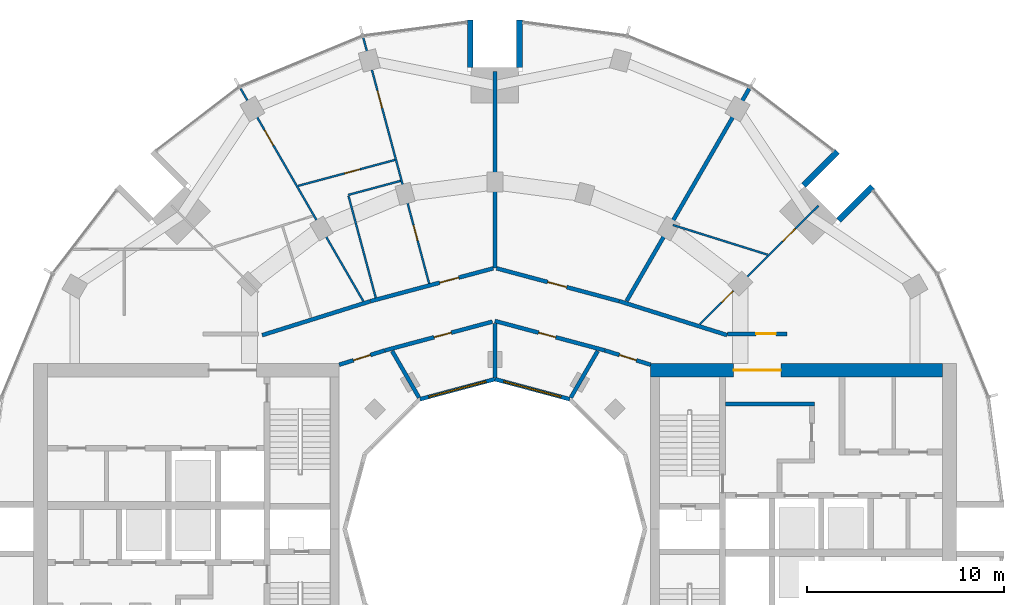
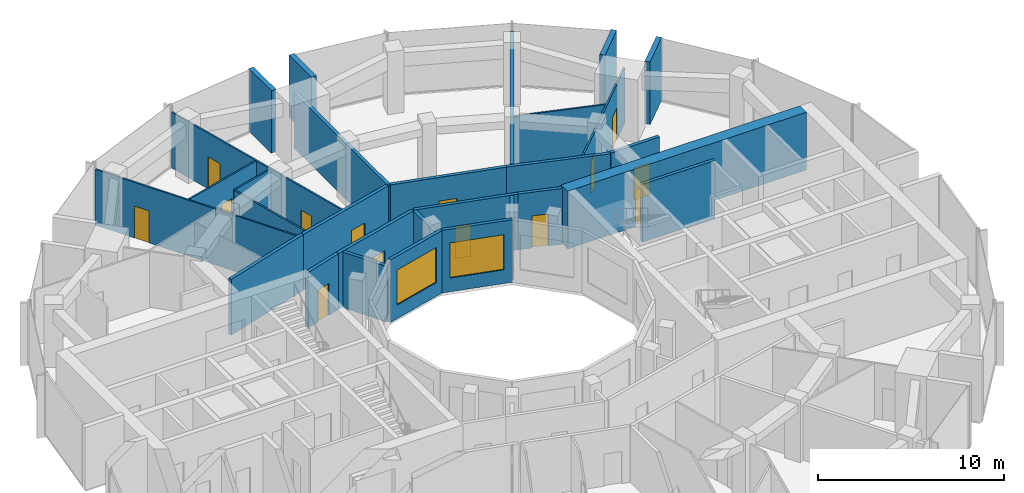
# One storey, part 12 of 15: 29 walls, 14 doors, 2 windows, 16 openings.
"""IFC4 building model written with IfcOpenShell, lengths in metres."""

from ifc_helpers import new_model, si_unit, direction, frame, frame_2d, origin, place, context, subcontext, project, spatial, rectangle, extrude, material, layer, layer_set, type_object, element, fill, save


model = new_model("IFC4")

# Units and contexts
model_context = context("Model", 3, precision=1e-05, world=origin(), true_north=direction((0.0, 1.0)))
body_context = subcontext(model_context, "Body", "Model", "MODEL_VIEW")
ifc_project = project(units=[si_unit("LENGTHUNIT", "METRE"), si_unit("AREAUNIT", "SQUARE_METRE"), si_unit("VOLUMEUNIT", "CUBIC_METRE"), si_unit("PLANEANGLEUNIT", "RADIAN"), si_unit("MASSUNIT", "GRAM", prefix="KILO")], contexts=[model_context])

# Site, building, storey
site_placement = place(None, origin())
site = spatial("IfcSite", under=ifc_project, at=site_placement, CompositionType="ELEMENT")
building_placement = place(site_placement, origin())
building = spatial("IfcBuilding", under=site, at=building_placement, Name="Torre Brocal", CompositionType="ELEMENT")
storey_placement = place(building_placement, frame((0.0, 0.0, 157.699951171875)))
storey = spatial("IfcBuildingStorey", under=building, at=storey_placement, Name="L36", CompositionType="ELEMENT", Elevation=157.699951171875)

# Wall
ifc_material_1 = material(Name="Concrete C70", Category="concrete")
ifc_layer_1 = layer(ifc_material_1, 0.199951171875)
ifc_layer_set_1 = layer_set([ifc_layer_1], Name="Concrete C70")
wall_type_1 = type_object("IfcWallType", Name="CORE WALL 200 C70", PredefinedType="SHEAR", material=ifc_layer_set_1)
wall_1_placement = place(storey_placement, frame((91.699951171875, 81.35009765625, 0.0), z_axis=(0.0, 0.0, 1.0), x_axis=(1.0, 0.0, 0.0)))
element("IfcWall", 1, at=wall_1_placement, inside=storey, type_object=wall_type_1, Name="Wall CW200-70", PredefinedType="SHEAR", context=body_context, shape_type="SweptSolid", body=[
    extrude(rectangle(XDim=4.5, YDim=0.199951171875, at=frame_2d((2.25, 0.0))), origin(), (0.0, 0.0, 1.0), 3.780029296875),
])

# Wall, opening, door
ifc_material_2 = material(Name="Concrete C70", Category="concrete")
ifc_layer_2 = layer(ifc_material_2, 0.699951171875)
ifc_layer_set_2 = layer_set([ifc_layer_2], Name="Concrete C70")
wall_type_2 = type_object("IfcWallType", Name="CORE WALL 700 C70", PredefinedType="SHEAR", material=ifc_layer_set_2)
wall_2_placement = place(storey_placement, frame((87.89990234375, 83.050048828125, 0.0), z_axis=(0.0, 0.0, 1.0), x_axis=(1.0, 0.0, 0.0)))
wall_2 = element("IfcWall", 2, at=wall_2_placement, inside=storey, type_object=wall_type_2, Name="Wall CW700-70", PredefinedType="SHEAR", context=body_context, shape_type="SweptSolid", body=[
    extrude(rectangle(XDim=14.800048828125, YDim=0.699951171875, at=frame_2d((7.39990234375, 0.0))), origin(), (0.0, 0.0, 1.0), 3.780029296875),
])
opening_1_placement = place(wall_2_placement, frame((4.199951171875, 0.0, 0.0)))
opening_1 = element("IfcOpeningElement", 3, at=opening_1_placement, cuts=wall_2, Name="Opening E-D34", PredefinedType="OPENING", context=body_context, shape_type="SweptSolid", body=[
    extrude(rectangle(XDim=2.39990234375, YDim=2.39990234375, at=frame_2d((1.199951171875, 1.199951171875))), frame((0.0, 0.35986328125, 0.0), z_axis=(0.0, -1.0, 0.0), x_axis=(1.0, 0.0, 0.0)), (0.0, 0.0, 1.0), 0.719970703125),
])
ifc_material_3 = material(Name="Steel A653", Category="steel")
door_type_1 = type_object("IfcDoorType", Name="DOUBLE FIRE DOOR FD90 2400X2400", OperationType="DOUBLE_DOOR_SINGLE_SWING", PredefinedType="DOOR", material=ifc_material_3)
door_1_placement = place(opening_1_placement, frame((2.39990234375, 0.0, 0.0), z_axis=(0.0, 0.0, 1.0), x_axis=(-1.0, 0.0, 0.0)))
door_1 = element("IfcDoor", 4, at=door_1_placement, inside=storey, type_object=door_type_1, Name="Door E-D34", OperationType="DOUBLE_DOOR_SINGLE_SWING", OverallHeight=2.39990234375, OverallWidth=2.39990234375, PredefinedType="DOOR", context=body_context, shape_type="SweptSolid", body=[
    extrude(rectangle(XDim=2.39990234375, YDim=2.39990234375, at=frame_2d((1.199951171875, 1.199951171875))), frame((0.0, 0.02490234375, 0.0), z_axis=(0.0, -1.0, 0.0), x_axis=(1.0, 0.0, 0.0)), (0.0, 0.0, 1.0), 0.050048828125),
])
fill(opening_1, door_1)

# Walls
ifc_material_4 = material(Name="Concrete C70", Category="concrete")
ifc_layer_3 = layer(ifc_material_4, 0.300048828125)
ifc_layer_set_3 = layer_set([ifc_layer_3], Name="Concrete C70")
wall_type_3 = type_object("IfcWallType", Name="NOTCH RETURN WALL 300 C70", PredefinedType="NOTDEFINED", material=ifc_layer_set_3)
for number, where, z_axis, x_axis, name in (
    (5, (97.43017578125, 90.662353515625, 0.0), (0.0, 0.0, 1.0), (0.707106781187, 0.707106781187, 0.0), "NOTCH RETURN WALL"),
    (6, (95.662353515625, 92.43017578125, 0.0), (0.0, 0.0, 1.0), (0.707106781187, 0.707106781187, 0.0), "NOTCH RETURN WALL"),
    (7, (81.25, 98.39990234375, 0.0), (0.0, 0.0, 1.0), (0.0, 1.0, 0.0), "NOTCH RETURN WALL"),
    (8, (78.75, 98.39990234375, 0.0), (0.0, 0.0, 1.0), (0.0, 1.0, 0.0), "NOTCH RETURN WALL"),
):
    element("IfcWall", number, at=place(storey_placement, frame(where, z_axis=z_axis, x_axis=x_axis)), inside=storey, type_object=wall_type_3, Name=name, PredefinedType="NOTDEFINED", context=body_context, shape_type="SweptSolid", body=[
        extrude(rectangle(XDim=2.415771484375, YDim=0.300048828125, at=frame_2d((1.2080078125, 0.0))), origin(), (0.0, 0.0, 1.0), 4.10009765625),
    ])

# Wall, opening, door
ifc_material_5 = material(Name="Gypsum board", Category="Gypsum")
ifc_layer_4 = layer(ifc_material_5, 0.10009765625)
ifc_layer_set_4 = layer_set([ifc_layer_4], Name="Gypsum board")
wall_type_4 = type_object("IfcWallType", Name="PARTITION 100", PredefinedType="PARTITIONING", material=ifc_layer_set_4)
wall_3_placement = place(storey_placement, frame((67.101318359375, 97.341552734375, 0.0), z_axis=(0.0, 0.0, 1.0), x_axis=(0.499929451451, -0.866066131177, 0.0)))
wall_3 = element("IfcWall", 9, at=wall_3_placement, inside=storey, type_object=wall_type_4, Name="BATHROOM WALL", PredefinedType="PARTITIONING", context=body_context, shape_type="SweptSolid", body=[
    extrude(rectangle(XDim=12.455810546875, YDim=0.10009765625, at=frame_2d((6.22802734375, 0.0))), origin(), (0.0, 0.0, 1.0), 3.650146484375),
])
opening_2_placement = place(wall_3_placement, frame((2.434326171875, 0.0, 0.0)))
opening_2 = element("IfcOpeningElement", 10, at=opening_2_placement, cuts=wall_3, Name="Opening R01-D09", PredefinedType="OPENING", context=body_context, shape_type="SweptSolid", body=[
    extrude(rectangle(XDim=0.89990234375, YDim=2.10009765625, at=frame_2d((0.449951171875, 1.050048828125))), frame((0.0, 0.06005859375, 0.0), z_axis=(0.0, -1.0, 0.0), x_axis=(1.0, 0.0, 0.0)), (0.0, 0.0, 1.0), 0.1201171875),
])
ifc_material_6 = material(Name="Timber", Category="wood")
door_type_2 = type_object("IfcDoorType", Name="ROOM DOOR 900X2100", OperationType="SINGLE_SWING_LEFT", PredefinedType="DOOR", material=ifc_material_6)
door_2_placement = place(opening_2_placement, frame((0.89990234375, 0.0, 0.0), z_axis=(0.0, 0.0, 1.0), x_axis=(-1.0, 0.0, 0.0)))
door_2 = element("IfcDoor", 11, at=door_2_placement, inside=storey, type_object=door_type_2, Name="R01-D09", OperationType="SINGLE_SWING_RIGHT", OverallHeight=2.10009765625, OverallWidth=0.89990234375, PredefinedType="DOOR", context=body_context, shape_type="SweptSolid", body=[
    extrude(rectangle(XDim=0.89990234375, YDim=2.10009765625, at=frame_2d((0.449951171875, 1.050048828125))), frame((0.0, 0.02490234375, 0.0), z_axis=(0.0, -1.0, 0.0), x_axis=(1.0, 0.0, 0.0)), (0.0, 0.0, 1.0), 0.050048828125),
])
fill(opening_2, door_2)

wall_4_placement = place(storey_placement, frame((70.01904296875, 92.404541015625, 0.0), z_axis=(0.0, 0.0, 1.0), x_axis=(0.965982744428, 0.258606530209, 0.0)))
wall_4 = element("IfcWall", 12, at=wall_4_placement, inside=storey, type_object=wall_type_4, Name="BATHROOM WALL", PredefinedType="PARTITIONING", context=body_context, shape_type="SweptSolid", body=[
    extrude(rectangle(XDim=5.086669921875, YDim=0.10009765625, at=frame_2d((2.54345703125, 0.0))), origin(), (0.0, 0.0, 1.0), 3.650146484375),
])
opening_3_placement = place(wall_4_placement, frame((2.4384765625, 0.0, 0.0)))
opening_3 = element("IfcOpeningElement", 13, at=opening_3_placement, cuts=wall_4, Name="Opening R01-D07", PredefinedType="OPENING", context=body_context, shape_type="SweptSolid", body=[
    extrude(rectangle(XDim=0.800048828125, YDim=2.10009765625, at=frame_2d((0.39990234375, 1.050048828125))), frame((0.0, 0.06005859375, 0.0), z_axis=(0.0, -1.0, 0.0), x_axis=(1.0, 0.0, 0.0)), (0.0, 0.0, 1.0), 0.1201171875),
])
ifc_material_7 = material(Name="Timber", Category="wood")
door_type_3 = type_object("IfcDoorType", Name="BATHROOM DOOR 800X2100", OperationType="SINGLE_SWING_LEFT", PredefinedType="DOOR", material=ifc_material_7)
door_3_placement = place(opening_3_placement, frame((0.800048828125, 0.0, 0.0), z_axis=(0.0, 0.0, 1.0), x_axis=(-1.0, 0.0, 0.0)))
door_3 = element("IfcDoor", 14, at=door_3_placement, inside=storey, type_object=door_type_3, Name="R01-D07", OperationType="SINGLE_SWING_LEFT", OverallHeight=2.10009765625, OverallWidth=0.800048828125, PredefinedType="DOOR", context=body_context, shape_type="SweptSolid", body=[
    extrude(rectangle(XDim=0.800048828125, YDim=2.10009765625, at=frame_2d((0.39990234375, 1.050048828125))), frame((0.0, 0.02490234375, 0.0), z_axis=(0.0, -1.0, 0.0), x_axis=(1.0, 0.0, 0.0)), (0.0, 0.0, 1.0), 0.050048828125),
])
fill(opening_3, door_3)

# Walls
wall_5_placement = place(storey_placement, frame((72.574462890625, 91.897705078125, 0.0), z_axis=(0.0, 0.0, 1.0), x_axis=(0.258739127054, -0.965947236722, 0.0)))
element("IfcWall", 15, at=wall_5_placement, inside=storey, type_object=wall_type_4, Name="BATHROOM WALL", PredefinedType="PARTITIONING", context=body_context, shape_type="SweptSolid", body=[
    extrude(rectangle(XDim=5.34912109375, YDim=0.10009765625, at=frame_2d((2.674560546875, 0.0))), origin(), (0.0, 0.0, 1.0), 3.650146484375),
])
wall_6_placement = place(storey_placement, frame((72.56103515625, 91.946044921875, 0.0), z_axis=(0.0, 0.0, 1.0), x_axis=(0.96591000446, 0.258878085754, 0.0)))
element("IfcWall", 16, at=wall_6_placement, inside=storey, type_object=wall_type_4, Name="BATHROOM WALL", PredefinedType="PARTITIONING", context=body_context, shape_type="SweptSolid", body=[
    extrude(rectangle(XDim=2.75, YDim=0.10009765625, at=frame_2d((1.375, 0.0))), origin(), (0.0, 0.0, 1.0), 3.650146484375),
])

# Wall, openings, doors
wall_7_placement = place(storey_placement, frame((73.324462890625, 99.919677734375, 0.0), z_axis=(0.0, 0.0, 1.0), x_axis=(0.258710550884, -0.965954890697, 0.0)))
wall_7 = element("IfcWall", 17, at=wall_7_placement, inside=storey, type_object=wall_type_4, Name="BATHROOM WALL", PredefinedType="PARTITIONING", context=body_context, shape_type="SweptSolid", body=[
    extrude(rectangle(XDim=12.90380859375, YDim=0.10009765625, at=frame_2d((6.451904296875, 0.0))), origin(), (0.0, 0.0, 1.0), 3.650146484375),
])
opening_4_placement = place(wall_7_placement, frame((2.787109375, 0.0, 0.0)))
opening_4 = element("IfcOpeningElement", 18, at=opening_4_placement, cuts=wall_7, Name="Opening R01-D06", PredefinedType="OPENING", context=body_context, shape_type="SweptSolid", body=[
    extrude(rectangle(XDim=0.89990234375, YDim=2.10009765625, at=frame_2d((0.449951171875, 1.050048828125))), frame((0.0, 0.06005859375, 0.0), z_axis=(0.0, -1.0, 0.0), x_axis=(1.0, 0.0, 0.0)), (0.0, 0.0, 1.0), 0.1201171875),
])
opening_5_placement = place(wall_7_placement, frame((9.844482421875, 0.0, 0.0)))
opening_5 = element("IfcOpeningElement", 19, at=opening_5_placement, cuts=wall_7, Name="Opening R01-D08", PredefinedType="OPENING", context=body_context, shape_type="SweptSolid", body=[
    extrude(rectangle(XDim=0.800048828125, YDim=2.10009765625, at=frame_2d((0.39990234375, 1.050048828125))), frame((0.0, 0.06005859375, 0.0), z_axis=(0.0, -1.0, 0.0), x_axis=(1.0, 0.0, 0.0)), (0.0, 0.0, 1.0), 0.1201171875),
])
door_4_placement = place(opening_5_placement, frame((0.800048828125, 0.0, 0.0), z_axis=(0.0, 0.0, 1.0), x_axis=(-1.0, 0.0, 0.0)))
door_4 = element("IfcDoor", 20, at=door_4_placement, inside=storey, type_object=door_type_3, Name="R01-D08", OperationType="SINGLE_SWING_RIGHT", OverallHeight=2.10009765625, OverallWidth=0.800048828125, PredefinedType="DOOR", context=body_context, shape_type="SweptSolid", body=[
    extrude(rectangle(XDim=0.800048828125, YDim=2.10009765625, at=frame_2d((0.39990234375, 1.050048828125))), frame((0.0, 0.02490234375, 0.0), z_axis=(0.0, -1.0, 0.0), x_axis=(1.0, 0.0, 0.0)), (0.0, 0.0, 1.0), 0.050048828125),
])
fill(opening_5, door_4)
door_5_placement = place(opening_4_placement, frame((0.89990234375, 0.0, 0.0), z_axis=(0.0, 0.0, 1.0), x_axis=(-1.0, 0.0, 0.0)))
door_5 = element("IfcDoor", 21, at=door_5_placement, inside=storey, type_object=door_type_2, Name="R01-D06", OperationType="SINGLE_SWING_RIGHT", OverallHeight=2.10009765625, OverallWidth=0.89990234375, PredefinedType="DOOR", context=body_context, shape_type="SweptSolid", body=[
    extrude(rectangle(XDim=0.89990234375, YDim=2.10009765625, at=frame_2d((0.449951171875, 1.050048828125))), frame((0.0, 0.02490234375, 0.0), z_axis=(0.0, -1.0, 0.0), x_axis=(1.0, 0.0, 0.0)), (0.0, 0.0, 1.0), 0.050048828125),
])
fill(opening_4, door_5)

# Wall
wall_8_placement = place(storey_placement, frame((89.026123046875, 90.4189453125, 0.0), z_axis=(0.0, 0.0, 1.0), x_axis=(0.954207609901, -0.299145177475, 0.0)))
element("IfcWall", 22, at=wall_8_placement, inside=storey, type_object=wall_type_4, Name="BATHROOM WALL", PredefinedType="PARTITIONING", context=body_context, shape_type="SweptSolid", body=[
    extrude(rectangle(XDim=5.031494140625, YDim=0.10009765625, at=frame_2d((2.515625, 0.0))), origin(), (0.0, 0.0, 1.0), 3.650146484375),
])

# Wall, openings, doors
wall_9_placement = place(storey_placement, frame((90.396484375, 85.393310546875, 0.0), z_axis=(0.0, 0.0, 1.0), x_axis=(0.707236031471, 0.706977507273, 0.0)))
wall_9 = element("IfcWall", 23, at=wall_9_placement, inside=storey, type_object=wall_type_4, Name="BATHROOM WALL", PredefinedType="PARTITIONING", context=body_context, shape_type="SweptSolid", body=[
    extrude(rectangle(XDim=8.499267578125, YDim=0.10009765625, at=frame_2d((4.24951171875, 0.0))), origin(), (0.0, 0.0, 1.0), 3.650146484375),
])
opening_6_placement = place(wall_9_placement, frame((5.937255859375, 0.0, 0.0)))
opening_6 = element("IfcOpeningElement", 24, at=opening_6_placement, cuts=wall_9, Name="Opening R01-D02", PredefinedType="OPENING", context=body_context, shape_type="SweptSolid", body=[
    extrude(rectangle(XDim=0.89990234375, YDim=2.10009765625, at=frame_2d((0.449951171875, 1.050048828125))), frame((0.0, 0.06005859375, 0.0), z_axis=(0.0, -1.0, 0.0), x_axis=(1.0, 0.0, 0.0)), (0.0, 0.0, 1.0), 0.1201171875),
])
opening_7_placement = place(wall_9_placement, frame((1.56201171875, 0.0, 0.0)))
opening_7 = element("IfcOpeningElement", 25, at=opening_7_placement, cuts=wall_9, Name="Opening R01-D03", PredefinedType="OPENING", context=body_context, shape_type="SweptSolid", body=[
    extrude(rectangle(XDim=0.800048828125, YDim=2.10009765625, at=frame_2d((0.39990234375, 1.050048828125))), frame((0.0, 0.06005859375, 0.0), z_axis=(0.0, -1.0, 0.0), x_axis=(1.0, 0.0, 0.0)), (0.0, 0.0, 1.0), 0.1201171875),
])
door_6_placement = place(opening_7_placement, origin())
door_6 = element("IfcDoor", 26, at=door_6_placement, inside=storey, type_object=door_type_3, Name="R01-D03", OperationType="SINGLE_SWING_LEFT", OverallHeight=2.10009765625, OverallWidth=0.800048828125, PredefinedType="DOOR", context=body_context, shape_type="SweptSolid", body=[
    extrude(rectangle(XDim=0.800048828125, YDim=2.10009765625, at=frame_2d((0.39990234375, 1.050048828125))), frame((0.0, 0.02490234375, 0.0), z_axis=(0.0, -1.0, 0.0), x_axis=(1.0, 0.0, 0.0)), (0.0, 0.0, 1.0), 0.050048828125),
])
fill(opening_7, door_6)
door_7_placement = place(opening_6_placement, frame((0.89990234375, 0.0, 0.0), z_axis=(0.0, 0.0, 1.0), x_axis=(-1.0, 0.0, 0.0)))
door_7 = element("IfcDoor", 27, at=door_7_placement, inside=storey, type_object=door_type_2, Name="R01-D02", OperationType="SINGLE_SWING_RIGHT", OverallHeight=2.10009765625, OverallWidth=0.89990234375, PredefinedType="DOOR", context=body_context, shape_type="SweptSolid", body=[
    extrude(rectangle(XDim=0.89990234375, YDim=2.10009765625, at=frame_2d((0.449951171875, 1.050048828125))), frame((0.0, 0.02490234375, 0.0), z_axis=(0.0, -1.0, 0.0), x_axis=(1.0, 0.0, 0.0)), (0.0, 0.0, 1.0), 0.050048828125),
])
fill(opening_6, door_7)

# Wall
ifc_material_8 = material(Name="Gypsum board", Category="Gypsum")
ifc_layer_5 = layer(ifc_material_8, 0.199951171875)
ifc_layer_set_5 = layer_set([ifc_layer_5], Name="Gypsum board")
wall_type_5 = type_object("IfcWallType", Name="PARTITION 200 EI60", PredefinedType="PARTITIONING", material=ifc_layer_set_5)
wall_10_placement = place(storey_placement, frame((68.19970703125, 84.833984375, 0.0), z_axis=(0.0, 0.0, 1.0), x_axis=(0.954272398161, 0.298938438661, 0.0)))
element("IfcWall", 28, at=wall_10_placement, inside=storey, type_object=wall_type_5, Name="CORRIDOR WALL", PredefinedType="PARTITIONING", context=body_context, shape_type="SweptSolid", body=[
    extrude(rectangle(XDim=5.740478515625, YDim=0.199951171875, at=frame_2d((2.8701171875, 0.0))), origin(), (0.0, 0.0, 1.0), 3.650146484375),
])

# Wall, opening, door
wall_11_placement = place(storey_placement, frame((72.10009765625, 83.33203125, 0.0), z_axis=(0.0, 0.0, 1.0), x_axis=(0.954233106619, 0.299063836383, 0.0)))
wall_11 = element("IfcWall", 29, at=wall_11_placement, inside=storey, type_object=wall_type_5, Name="CORRIDOR WALL", PredefinedType="PARTITIONING", context=body_context, shape_type="SweptSolid", body=[
    extrude(rectangle(XDim=2.4140625, YDim=0.199951171875, at=frame_2d((1.20703125, 0.0))), origin(), (0.0, 0.0, 1.0), 3.650146484375),
])
opening_8_placement = place(wall_11_placement, frame((0.761962890625, 0.0, 0.0)))
opening_8 = element("IfcOpeningElement", 30, at=opening_8_placement, cuts=wall_11, Name="Opening R01-D18", PredefinedType="OPENING", context=body_context, shape_type="SweptSolid", body=[
    extrude(rectangle(XDim=0.89990234375, YDim=2.10009765625, at=frame_2d((0.449951171875, 1.050048828125))), frame((0.0, 0.10986328125, 0.0), z_axis=(0.0, -1.0, 0.0), x_axis=(1.0, 0.0, 0.0)), (0.0, 0.0, 1.0), 0.219970703125),
])
door_8_placement = place(opening_8_placement, frame((0.89990234375, 0.0, 0.0), z_axis=(0.0, 0.0, 1.0), x_axis=(-1.0, 0.0, 0.0)))
door_8 = element("IfcDoor", 31, at=door_8_placement, inside=storey, type_object=door_type_2, Name="R01-D18", OperationType="SINGLE_SWING_RIGHT", OverallHeight=2.10009765625, OverallWidth=0.89990234375, PredefinedType="DOOR", context=body_context, shape_type="SweptSolid", body=[
    extrude(rectangle(XDim=0.89990234375, YDim=2.10009765625, at=frame_2d((0.449951171875, 1.050048828125))), frame((0.0, 0.02490234375, 0.0), z_axis=(0.0, -1.0, 0.0), x_axis=(1.0, 0.0, 0.0)), (0.0, 0.0, 1.0), 0.050048828125),
])
fill(opening_8, door_8)

wall_12_placement = place(storey_placement, frame((73.68701171875, 86.554443359375, 0.0), z_axis=(0.0, 0.0, 1.0), x_axis=(0.965999420828, 0.258544230182, 0.0)))
wall_12 = element("IfcWall", 32, at=wall_12_placement, inside=storey, type_object=wall_type_5, Name="FLAT ENTRANCE WALL", PredefinedType="PARTITIONING", context=body_context, shape_type="SweptSolid", body=[
    extrude(rectangle(XDim=6.44580078125, YDim=0.199951171875, at=frame_2d((3.222900390625, 0.0))), origin(), (0.0, 0.0, 1.0), 3.650146484375),
])
opening_9_placement = place(wall_12_placement, frame((3.63818359375, 0.0, 0.0)))
opening_9 = element("IfcOpeningElement", 33, at=opening_9_placement, cuts=wall_12, Name="Opening R01-D05", PredefinedType="OPENING", context=body_context, shape_type="SweptSolid", body=[
    extrude(rectangle(XDim=1.0, YDim=2.10009765625, at=frame_2d((0.5, 1.050048828125))), frame((0.0, 0.10986328125, 0.0), z_axis=(0.0, -1.0, 0.0), x_axis=(1.0, 0.0, 0.0)), (0.0, 0.0, 1.0), 0.219970703125),
])
ifc_material_9 = material(Name="Timber", Category="wood")
door_type_4 = type_object("IfcDoorType", Name="FLAT ENTRY DOOR FD30S 1000X2100", OperationType="SINGLE_SWING_RIGHT", PredefinedType="DOOR", material=ifc_material_9)
door_9_placement = place(opening_9_placement, origin())
door_9 = element("IfcDoor", 34, at=door_9_placement, inside=storey, type_object=door_type_4, Name="R01-D05", OperationType="SINGLE_SWING_LEFT", OverallHeight=2.10009765625, OverallWidth=1.0, PredefinedType="DOOR", context=body_context, shape_type="SweptSolid", body=[
    extrude(rectangle(XDim=1.0, YDim=2.10009765625, at=frame_2d((0.5, 1.050048828125))), frame((0.0, 0.02490234375, 0.0), z_axis=(0.0, -1.0, 0.0), x_axis=(1.0, 0.0, 0.0)), (0.0, 0.0, 1.0), 0.050048828125),
])
fill(opening_9, door_9)

wall_13_placement = place(storey_placement, frame((74.4130859375, 84.056884765625, 0.0), z_axis=(0.0, 0.0, 1.0), x_axis=(0.965972135939, 0.258646153246, 0.0)))
wall_13 = element("IfcWall", 35, at=wall_13_placement, inside=storey, type_object=wall_type_5, Name="CORRIDOR WALL", PredefinedType="PARTITIONING", context=body_context, shape_type="SweptSolid", body=[
    extrude(rectangle(XDim=5.654052734375, YDim=0.199951171875, at=frame_2d((2.8271484375, 0.0))), origin(), (0.0, 0.0, 1.0), 3.650146484375),
])
opening_10_placement = place(wall_13_placement, frame((2.5927734375, 0.0, 0.0)))
opening_10 = element("IfcOpeningElement", 36, at=opening_10_placement, cuts=wall_13, Name="Opening R01-D17", PredefinedType="OPENING", context=body_context, shape_type="SweptSolid", body=[
    extrude(rectangle(XDim=0.89990234375, YDim=2.10009765625, at=frame_2d((0.449951171875, 1.050048828125))), frame((0.0, 0.10986328125, 0.0), z_axis=(0.0, -1.0, 0.0), x_axis=(1.0, 0.0, 0.0)), (0.0, 0.0, 1.0), 0.219970703125),
])
door_10_placement = place(opening_10_placement, frame((0.89990234375, 0.0, 0.0), z_axis=(0.0, 0.0, 1.0), x_axis=(-1.0, 0.0, 0.0)))
door_10 = element("IfcDoor", 37, at=door_10_placement, inside=storey, type_object=door_type_2, Name="R01-D17", OperationType="SINGLE_SWING_RIGHT", OverallHeight=2.10009765625, OverallWidth=0.89990234375, PredefinedType="DOOR", context=body_context, shape_type="SweptSolid", body=[
    extrude(rectangle(XDim=0.89990234375, YDim=2.10009765625, at=frame_2d((0.449951171875, 1.050048828125))), frame((0.0, 0.02490234375, 0.0), z_axis=(0.0, -1.0, 0.0), x_axis=(1.0, 0.0, 0.0)), (0.0, 0.0, 1.0), 0.050048828125),
])
fill(opening_10, door_10)

# Walls
wall_14_placement = place(storey_placement, frame((74.78955078125, 84.0283203125, 0.0), z_axis=(0.0, 0.0, 1.0), x_axis=(0.499905962189, -0.866079689733, 0.0)))
element("IfcWall", 38, at=wall_14_placement, inside=storey, type_object=wall_type_5, Name="PARTY PARTITION", PredefinedType="PARTITIONING", context=body_context, shape_type="SweptSolid", body=[
    extrude(rectangle(XDim=2.7255859375, YDim=0.199951171875, at=frame_2d((1.36279296875, 0.0))), origin(), (0.0, 0.0, 1.0), 3.650146484375),
])
wall_15_placement = place(storey_placement, frame((80.0, 82.698974609375, 0.0), z_axis=(0.0, 0.0, 1.0), x_axis=(0.0, 1.0, 0.0)))
element("IfcWall", 39, at=wall_15_placement, inside=storey, type_object=wall_type_5, Name="SERVICE ROOM WALL", PredefinedType="PARTITIONING", context=body_context, shape_type="SweptSolid", body=[
    extrude(rectangle(XDim=2.72509765625, YDim=0.199951171875, at=frame_2d((1.362548828125, 0.0))), origin(), (0.0, 0.0, 1.0), 3.650146484375),
])

# Wall, opening, door
wall_16_placement = place(storey_placement, frame((80.0, 85.553955078125, 0.0), z_axis=(0.0, 0.0, 1.0), x_axis=(0.965928989968, -0.258807237802, 0.0)))
wall_16 = element("IfcWall", 40, at=wall_16_placement, inside=storey, type_object=wall_type_5, Name="CORRIDOR WALL", PredefinedType="PARTITIONING", context=body_context, shape_type="SweptSolid", body=[
    extrude(rectangle(XDim=5.774169921875, YDim=0.199951171875, at=frame_2d((2.88720703125, 0.0))), origin(), (0.0, 0.0, 1.0), 3.650146484375),
])
opening_11_placement = place(wall_16_placement, frame((2.29150390625, 0.0, 0.0)))
opening_11 = element("IfcOpeningElement", 41, at=opening_11_placement, cuts=wall_16, Name="Opening R01-D16", PredefinedType="OPENING", context=body_context, shape_type="SweptSolid", body=[
    extrude(rectangle(XDim=0.89990234375, YDim=2.10009765625, at=frame_2d((0.449951171875, 1.050048828125))), frame((0.0, 0.10986328125, 0.0), z_axis=(0.0, -1.0, 0.0), x_axis=(1.0, 0.0, 0.0)), (0.0, 0.0, 1.0), 0.219970703125),
])
door_11_placement = place(opening_11_placement, frame((0.89990234375, 0.0, 0.0), z_axis=(0.0, 0.0, 1.0), x_axis=(-1.0, 0.0, 0.0)))
door_11 = element("IfcDoor", 42, at=door_11_placement, inside=storey, type_object=door_type_2, Name="R01-D16", OperationType="SINGLE_SWING_LEFT", OverallHeight=2.10009765625, OverallWidth=0.89990234375, PredefinedType="DOOR", context=body_context, shape_type="SweptSolid", body=[
    extrude(rectangle(XDim=0.89990234375, YDim=2.10009765625, at=frame_2d((0.449951171875, 1.050048828125))), frame((0.0, 0.02490234375, 0.0), z_axis=(0.0, -1.0, 0.0), x_axis=(1.0, 0.0, 0.0)), (0.0, 0.0, 1.0), 0.050048828125),
])
fill(opening_11, door_11)

wall_17_placement = place(storey_placement, frame((80.0869140625, 88.222900390625, 0.0), z_axis=(0.0, 0.0, 1.0), x_axis=(0.965852330757, -0.25909317855, 0.0)))
wall_17 = element("IfcWall", 43, at=wall_17_placement, inside=storey, type_object=wall_type_5, Name="FLAT ENTRANCE WALL", PredefinedType="PARTITIONING", context=body_context, shape_type="SweptSolid", body=[
    extrude(rectangle(XDim=6.435791015625, YDim=0.199951171875, at=frame_2d((3.2177734375, 0.0))), origin(), (0.0, 0.0, 1.0), 3.650146484375),
])
opening_12_placement = place(wall_17_placement, frame((2.677978515625, 0.0, 0.0)))
opening_12 = element("IfcOpeningElement", 44, at=opening_12_placement, cuts=wall_17, Name="Opening R01-D04", PredefinedType="OPENING", context=body_context, shape_type="SweptSolid", body=[
    extrude(rectangle(XDim=1.0, YDim=2.10009765625, at=frame_2d((0.5, 1.050048828125))), frame((0.0, 0.10986328125, 0.0), z_axis=(0.0, -1.0, 0.0), x_axis=(1.0, 0.0, 0.0)), (0.0, 0.0, 1.0), 0.219970703125),
])
door_12_placement = place(opening_12_placement, origin())
door_12 = element("IfcDoor", 45, at=door_12_placement, inside=storey, type_object=door_type_4, Name="R01-D04", OperationType="SINGLE_SWING_LEFT", OverallHeight=2.10009765625, OverallWidth=1.0, PredefinedType="DOOR", context=body_context, shape_type="SweptSolid", body=[
    extrude(rectangle(XDim=1.0, YDim=2.10009765625, at=frame_2d((0.5, 1.050048828125))), frame((0.0, 0.02490234375, 0.0), z_axis=(0.0, -1.0, 0.0), x_axis=(1.0, 0.0, 0.0)), (0.0, 0.0, 1.0), 0.050048828125),
])
fill(opening_12, door_12)

# Walls
wall_18_placement = place(storey_placement, frame((80.0, 88.2470703125, 0.0), z_axis=(0.0, 0.0, 1.0), x_axis=(0.0, 1.0, 0.0)))
element("IfcWall", 46, at=wall_18_placement, inside=storey, type_object=wall_type_5, Name="PARTY PARTITION", PredefinedType="PARTITIONING", context=body_context, shape_type="SweptSolid", body=[
    extrude(rectangle(XDim=9.951904296875, YDim=0.199951171875, at=frame_2d((4.97607421875, 0.0))), origin(), (0.0, 0.0, 1.0), 3.650146484375),
])
wall_19_placement = place(storey_placement, frame((83.848388671875, 81.66748046875, 0.0), z_axis=(0.0, 0.0, 1.0), x_axis=(0.500185068774, 0.865918527909, 0.0)))
element("IfcWall", 47, at=wall_19_placement, inside=storey, type_object=wall_type_5, Name="SERVICE ROOM WALL", PredefinedType="PARTITIONING", context=body_context, shape_type="SweptSolid", body=[
    extrude(rectangle(XDim=2.7255859375, YDim=0.199951171875, at=frame_2d((1.36279296875, 0.0))), origin(), (0.0, 0.0, 1.0), 3.650146484375),
])

# Wall, opening, door
wall_20_placement = place(storey_placement, frame((85.5869140625, 84.056884765625, 0.0), z_axis=(0.0, 0.0, 1.0), x_axis=(0.954239513179, -0.299043393987, 0.0)))
wall_20 = element("IfcWall", 48, at=wall_20_placement, inside=storey, type_object=wall_type_5, Name="CORRIDOR WALL", PredefinedType="PARTITIONING", context=body_context, shape_type="SweptSolid", body=[
    extrude(rectangle(XDim=2.423828125, YDim=0.199951171875, at=frame_2d((1.2119140625, 0.0))), origin(), (0.0, 0.0, 1.0), 3.650146484375),
])
opening_13_placement = place(wall_20_placement, frame((0.761962890625, 0.0, 0.0)))
opening_13 = element("IfcOpeningElement", 49, at=opening_13_placement, cuts=wall_20, Name="Opening R01-D15", PredefinedType="OPENING", context=body_context, shape_type="SweptSolid", body=[
    extrude(rectangle(XDim=0.89990234375, YDim=2.10009765625, at=frame_2d((0.449951171875, 1.050048828125))), frame((0.0, 0.10986328125, 0.0), z_axis=(0.0, -1.0, 0.0), x_axis=(1.0, 0.0, 0.0)), (0.0, 0.0, 1.0), 0.219970703125),
])
door_13_placement = place(opening_13_placement, frame((0.89990234375, 0.0, 0.0), z_axis=(0.0, 0.0, 1.0), x_axis=(-1.0, 0.0, 0.0)))
door_13 = element("IfcDoor", 50, at=door_13_placement, inside=storey, type_object=door_type_2, Name="R01-D15", OperationType="SINGLE_SWING_LEFT", OverallHeight=2.10009765625, OverallWidth=0.89990234375, PredefinedType="DOOR", context=body_context, shape_type="SweptSolid", body=[
    extrude(rectangle(XDim=0.89990234375, YDim=2.10009765625, at=frame_2d((0.449951171875, 1.050048828125))), frame((0.0, 0.02490234375, 0.0), z_axis=(0.0, -1.0, 0.0), x_axis=(1.0, 0.0, 0.0)), (0.0, 0.0, 1.0), 0.050048828125),
])
fill(opening_13, door_13)

# Walls
wall_21_placement = place(storey_placement, frame((86.313232421875, 86.554931640625, 0.0), z_axis=(0.0, 0.0, 1.0), x_axis=(0.953919398959, -0.300062960544, 0.0)))
element("IfcWall", 51, at=wall_21_placement, inside=storey, type_object=wall_type_5, Name="FLAT ENTRANCE WALL", PredefinedType="PARTITIONING", context=body_context, shape_type="SweptSolid", body=[
    extrude(rectangle(XDim=5.720703125, YDim=0.199951171875, at=frame_2d((2.8603515625, 0.0))), origin(), (0.0, 0.0, 1.0), 3.650146484375),
])
wall_22_placement = place(storey_placement, frame((86.676513671875, 86.56396484375, 0.0), z_axis=(0.0, 0.0, 1.0), x_axis=(0.500120377296, 0.865955892764, 0.0)))
element("IfcWall", 52, at=wall_22_placement, inside=storey, type_object=wall_type_5, Name="BATHROOM WALL", PredefinedType="PARTITIONING", context=body_context, shape_type="SweptSolid", body=[
    extrude(rectangle(XDim=12.44482421875, YDim=0.199951171875, at=frame_2d((6.222412109375, 0.0))), origin(), (0.0, 0.0, 1.0), 3.650146484375),
])

# Wall, opening, door
wall_23_placement = place(storey_placement, frame((91.800048828125, 84.89990234375, 0.0), z_axis=(0.0, 0.0, 1.0), x_axis=(1.0, 0.0, 0.0)))
wall_23 = element("IfcWall", 53, at=wall_23_placement, inside=storey, type_object=wall_type_5, Name="FLAT ENTRANCE WALL", PredefinedType="PARTITIONING", context=body_context, shape_type="SweptSolid", body=[
    extrude(rectangle(XDim=3.0, YDim=0.199951171875, at=frame_2d((1.5, 0.0))), origin(), (0.0, 0.0, 1.0), 3.650146484375),
])
opening_14_placement = place(wall_23_placement, frame((1.449951171875, 0.0, 0.0)))
opening_14 = element("IfcOpeningElement", 54, at=opening_14_placement, cuts=wall_23, Name="Opening R01-D01", PredefinedType="OPENING", context=body_context, shape_type="SweptSolid", body=[
    extrude(rectangle(XDim=1.0, YDim=2.10009765625, at=frame_2d((0.5, 1.050048828125))), frame((0.0, 0.10986328125, 0.0), z_axis=(0.0, -1.0, 0.0), x_axis=(1.0, 0.0, 0.0)), (0.0, 0.0, 1.0), 0.219970703125),
])
door_14_placement = place(opening_14_placement, origin())
door_14 = element("IfcDoor", 55, at=door_14_placement, inside=storey, type_object=door_type_4, Name="R01-D01", OperationType="SINGLE_SWING_LEFT", OverallHeight=2.10009765625, OverallWidth=1.0, PredefinedType="DOOR", context=body_context, shape_type="SweptSolid", body=[
    extrude(rectangle(XDim=1.0, YDim=2.10009765625, at=frame_2d((0.5, 1.050048828125))), frame((0.0, 0.02490234375, 0.0), z_axis=(0.0, -1.0, 0.0), x_axis=(1.0, 0.0, 0.0)), (0.0, 0.0, 1.0), 0.050048828125),
])
fill(opening_14, door_14)

# Wall, opening, window
ifc_material_10 = material(Name="Concrete C40", Category="concrete")
ifc_layer_6 = layer(ifc_material_10, 0.199951171875)
ifc_layer_set_6 = layer_set([ifc_layer_6], Name="Concrete C40")
wall_type_6 = type_object("IfcWallType", Name="WELL FACADE WALL 200", PredefinedType="NOTDEFINED", material=ifc_layer_set_6)
wall_24_placement = place(storey_placement, frame((83.8017578125, 81.5849609375, 0.0), z_axis=(0.0, 0.0, 1.0), x_axis=(-0.965933654434, 0.258789828301, 0.0)))
wall_24 = element("IfcWall", 56, at=wall_24_placement, inside=storey, type_object=wall_type_6, Name="WELL FACADE WALL", PredefinedType="NOTDEFINED", context=body_context, shape_type="SweptSolid", body=[
    extrude(rectangle(XDim=3.935791015625, YDim=0.199951171875, at=frame_2d((1.9677734375, 0.0))), origin(), (0.0, 0.0, 1.0), 4.10009765625),
])
opening_15_placement = place(wall_24_placement, frame((0.468017578125, 0.0, 0.89990234375)))
opening_15 = element("IfcOpeningElement", 57, at=opening_15_placement, cuts=wall_24, Name="Opening W1", PredefinedType="OPENING", context=body_context, shape_type="SweptSolid", body=[
    extrude(rectangle(XDim=3.0, YDim=2.300048828125, at=frame_2d((1.5, 1.14990234375))), frame((0.0, 0.10986328125, 0.0), z_axis=(0.0, -1.0, 0.0), x_axis=(1.0, 0.0, 0.0)), (0.0, 0.0, 1.0), 0.219970703125),
])
ifc_material_11 = material(Name="Aluminium and glass", Category="aluminium")
window_type = type_object("IfcWindowType", Name="WELL WINDOW 3000X2300", PartitioningType="SINGLE_PANEL", PredefinedType="WINDOW", material=ifc_material_11)
window_1_placement = place(opening_15_placement, origin())
window_1 = element("IfcWindow", 58, at=window_1_placement, inside=storey, type_object=window_type, Name="WELL WINDOW 3000X2300", OverallHeight=2.300048828125, OverallWidth=3.0, PartitioningType="SINGLE_PANEL", PredefinedType="WINDOW", context=body_context, shape_type="SweptSolid", body=[
    extrude(rectangle(XDim=3.0, YDim=2.300048828125, at=frame_2d((1.5, 1.14990234375))), frame((0.0, 0.030029296875, 0.0), z_axis=(0.0, -1.0, 0.0), x_axis=(1.0, 0.0, 0.0)), (0.0, 0.0, 1.0), 0.06005859375),
])
fill(opening_15, window_1)

wall_25_placement = place(storey_placement, frame((80.0, 82.603515625, 0.0), z_axis=(0.0, 0.0, 1.0), x_axis=(-0.965933654434, -0.258789828301, 0.0)))
wall_25 = element("IfcWall", 59, at=wall_25_placement, inside=storey, type_object=wall_type_6, Name="WELL FACADE WALL", PredefinedType="NOTDEFINED", context=body_context, shape_type="SweptSolid", body=[
    extrude(rectangle(XDim=3.935791015625, YDim=0.199951171875, at=frame_2d((1.9677734375, 0.0))), origin(), (0.0, 0.0, 1.0), 4.10009765625),
])
opening_16_placement = place(wall_25_placement, frame((0.468017578125, 0.0, 0.89990234375)))
opening_16 = element("IfcOpeningElement", 60, at=opening_16_placement, cuts=wall_25, Name="Opening W1", PredefinedType="OPENING", context=body_context, shape_type="SweptSolid", body=[
    extrude(rectangle(XDim=3.0, YDim=2.300048828125, at=frame_2d((1.5, 1.14990234375))), frame((0.0, 0.10986328125, 0.0), z_axis=(0.0, -1.0, 0.0), x_axis=(1.0, 0.0, 0.0)), (0.0, 0.0, 1.0), 0.219970703125),
])
window_2_placement = place(opening_16_placement, origin())
window_2 = element("IfcWindow", 61, at=window_2_placement, inside=storey, type_object=window_type, Name="WELL WINDOW 3000X2300", OverallHeight=2.300048828125, OverallWidth=3.0, PartitioningType="SINGLE_PANEL", PredefinedType="WINDOW", context=body_context, shape_type="SweptSolid", body=[
    extrude(rectangle(XDim=3.0, YDim=2.300048828125, at=frame_2d((1.5, 1.14990234375))), frame((0.0, 0.030029296875, 0.0), z_axis=(0.0, -1.0, 0.0), x_axis=(1.0, 0.0, 0.0)), (0.0, 0.0, 1.0), 0.06005859375),
])
fill(opening_16, window_2)

save(model, "model.ifc")
